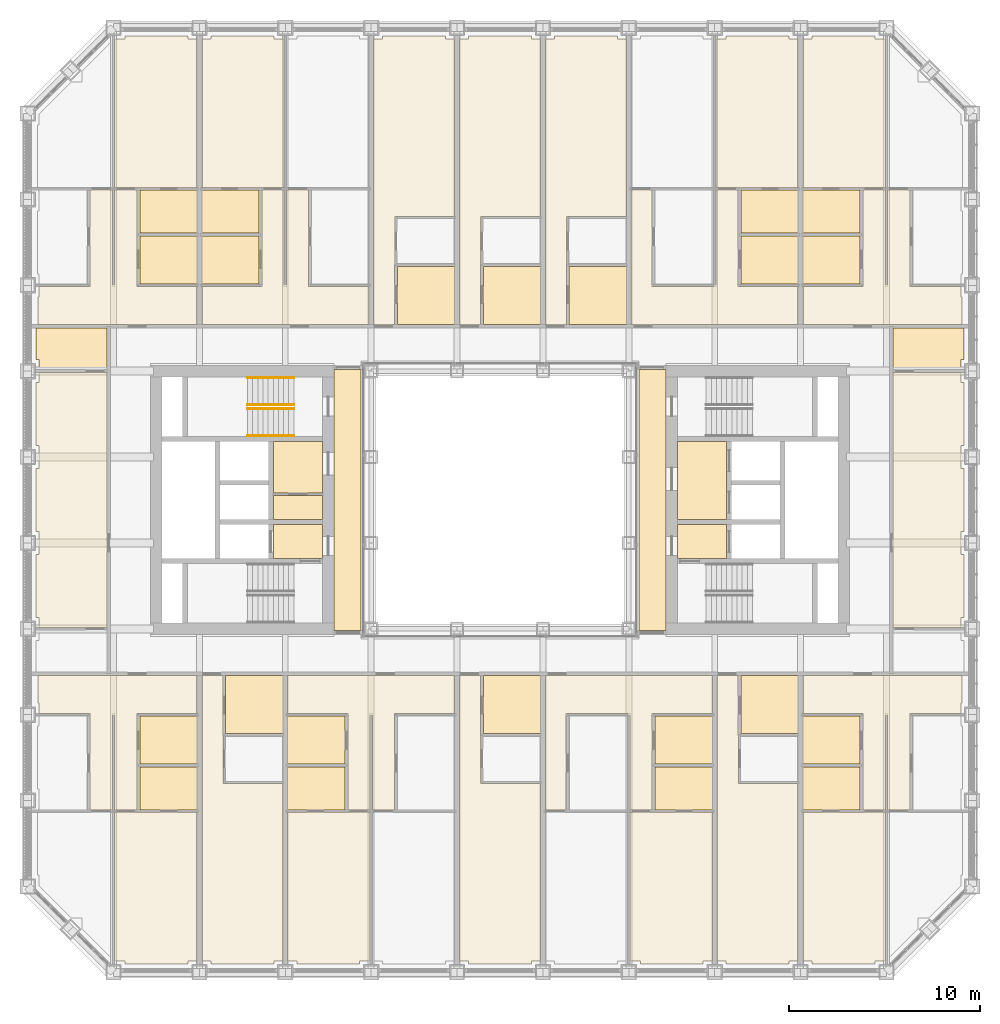
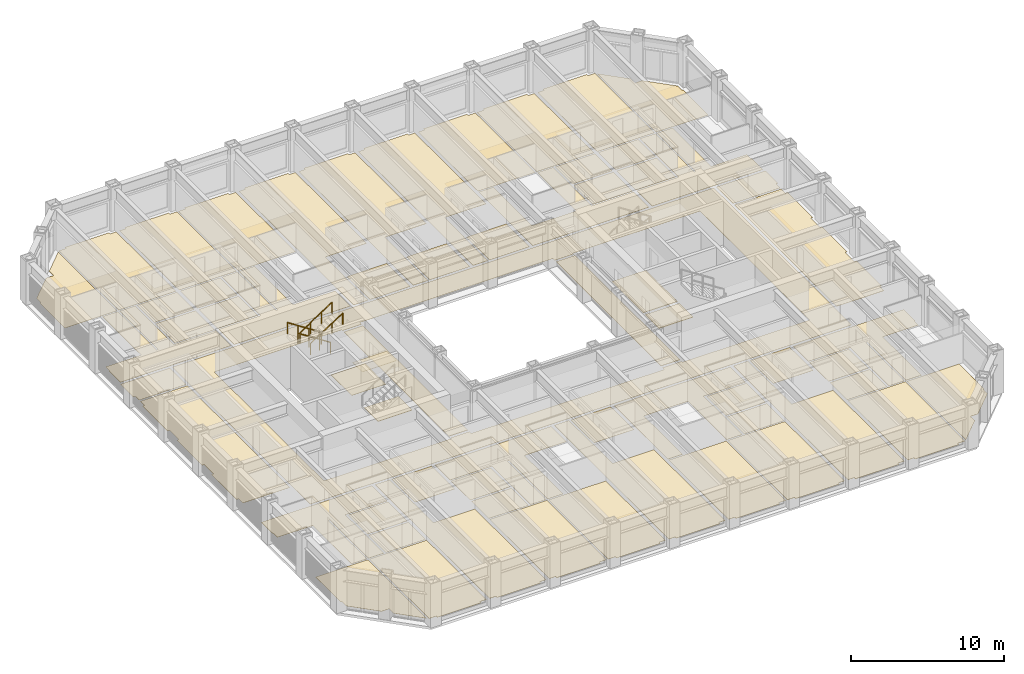
# One storey, part 18 of 21: 5 coverings, 4 railings.
"""IFC4 building model written with IfcOpenShell, lengths in metres."""

from ifc_helpers import new_model, si_unit, direction, frame, origin, origin_2d, place, context, subcontext, project, spatial, line, indexed_curve, circle, outline, extrude, material, layer, layer_set, type_object, element, save


model = new_model("IFC4")

# Units and contexts
model_context = context("Model", 3, precision=1e-05, world=origin(), true_north=direction((0.0, 1.0)))
body_context = subcontext(model_context, "Body", "Model", "MODEL_VIEW")
ifc_project = project(units=[si_unit("LENGTHUNIT", "METRE"), si_unit("AREAUNIT", "SQUARE_METRE"), si_unit("VOLUMEUNIT", "CUBIC_METRE"), si_unit("PLANEANGLEUNIT", "RADIAN"), si_unit("MASSUNIT", "GRAM", prefix="KILO")], contexts=[model_context])

# Site, building, storey
site_placement = place(None, origin())
site = spatial("IfcSite", under=ifc_project, at=site_placement, CompositionType="ELEMENT")
building_placement = place(site_placement, origin())
building = spatial("IfcBuilding", under=site, at=building_placement, Name="Msasa Ring Tower", CompositionType="ELEMENT")
storey_placement = place(building_placement, frame((0.0, 0.0, 37.0)))
storey = spatial("IfcBuildingStorey", under=building, at=storey_placement, Name="L08", CompositionType="ELEMENT", Elevation=37.0)

# Coverings
ifc_material_1 = material(Name="Mineral fibre ceiling tiles on an exposed steel grid", Category="steel")
ifc_layer_1 = layer(ifc_material_1, 0.02001953125)
ifc_layer_set_1 = layer_set([ifc_layer_1], Name="C3 ACOUSTIC MINERAL FIBRE TILE CEILING 20")
covering_type_1 = type_object("IfcCoveringType", Name="C3 ACOUSTIC MINERAL FIBRE TILE CEILING 20", PredefinedType="CEILING", material=ifc_layer_set_1)
covering_1_placement = place(storey_placement, frame((0.0, 0.0, 2.699951171875)))
element("IfcCovering", 1, at=covering_1_placement, inside=storey, type_object=covering_type_1, Name="Acoustic Mineral Fibre Tile Ceiling 20 L08", PredefinedType="CEILING", context=body_context, shape_type="SweptSolid", body=[
    extrude(outline(indexed_curve([(-11.87451171875, 0.244384765625), (-9.300537109375, 0.244384765625), (-9.300537109375, -1.0244140625), (-11.87451171875, -1.0244140625)], segments=[line(1, 2, 3, 4, 1)], self_intersect=False)), origin(), (0.0, 0.0, 1.0), 0.02001953125),
])
ifc_material_2 = material(Name="Honed granite tiles on a mortar bed", Category="masonry")
ifc_layer_2 = layer(ifc_material_2, 0.030029296875)
ifc_layer_set_2 = layer_set([ifc_layer_2], Name="F1 HONED GRANITE ON BEDDING 30")
covering_type_2 = type_object("IfcCoveringType", Name="F1 HONED GRANITE ON BEDDING 30", PredefinedType="FLOORING", material=ifc_layer_set_2)
covering_2_placement = place(storey_placement, origin())
element("IfcCovering", 2, at=covering_2_placement, inside=storey, type_object=covering_type_2, Name="Honed Granite On Bedding 30 L08", PredefinedType="FLOORING", context=body_context, shape_type="SweptSolid", body=[
    extrude(outline(indexed_curve([(-11.87451171875, -3.074462890625), (-11.87451171875, -1.275390625), (-9.300537109375, -1.275390625), (-9.300537109375, -3.074462890625)], segments=[line(1, 2, 3, 4, 1)], self_intersect=False)), origin(), (0.0, 0.0, 1.0), 0.030029296875),
    extrude(outline(indexed_curve([(-8.699462890625, -6.849609375), (-8.699462890625, 6.849609375), (-7.280029296875, 6.849609375), (-7.280029296875, -6.849609375)], segments=[line(1, 2, 3, 4, 1)], self_intersect=False)), origin(), (0.0, 0.0, 1.0), 0.030029296875),
    extrude(outline(indexed_curve([(8.699462890625, 6.849609375), (8.699462890625, -6.849609375), (7.280029296875, -6.849609375), (7.280029296875, 6.849609375)], segments=[line(1, 2, 3, 4, 1)], self_intersect=False)), origin(), (0.0, 0.0, 1.0), 0.030029296875),
    extrude(outline(indexed_curve([(9.300537109375, -3.074462890625), (9.300537109375, -1.275390625), (11.87451171875, -1.275390625), (11.87451171875, -3.074462890625)], segments=[line(1, 2, 3, 4, 1)], self_intersect=False)), origin(), (0.0, 0.0, 1.0), 0.030029296875),
    extrude(outline(indexed_curve([(9.300537109375, 3.074462890625), (11.87451171875, 3.074462890625), (11.87451171875, -1.0244140625), (9.300537109375, -1.0244140625)], segments=[line(1, 2, 3, 4, 1)], self_intersect=False)), origin(), (0.0, 0.0, 1.0), 0.030029296875),
])
ifc_material_3 = material(Name="Wool-blend carpet on felt underlay", Category="textile")
ifc_layer_3 = layer(ifc_material_3, 0.011962890625)
ifc_layer_set_3 = layer_set([ifc_layer_3], Name="F2 CARPET ON UNDERLAY 12")
covering_type_3 = type_object("IfcCoveringType", Name="F2 CARPET ON UNDERLAY 12", PredefinedType="FLOORING", material=ifc_layer_set_3)
covering_3_placement = place(storey_placement, origin())
element("IfcCovering", 3, at=covering_3_placement, inside=storey, type_object=covering_type_3, Name="Carpet On Underlay 12 L08", PredefinedType="FLOORING", context=body_context, shape_type="SweptSolid", body=[
    extrude(outline(indexed_curve([(-20.310546875, -24.052490234375), (-21.8994140625, -22.46337890625), (-21.8994140625, -21.8994140625), (-22.46337890625, -21.8994140625), (-24.1494140625, -20.21337890625), (-24.1494140625, -19.6494140625), (-24.239501953125, -19.6494140625), (-24.239501953125, -16.35546875), (-20.310546875, -16.35546875)], segments=[line(1, 2, 3, 4, 5, 6, 7, 8, 9, 1)], self_intersect=False)), origin(), (0.0, 0.0, 1.0), 0.011962890625),
    extrude(outline(indexed_curve([(-22.46337890625, 21.8994140625), (-21.8994140625, 21.8994140625), (-21.8994140625, 22.46337890625), (-20.310546875, 24.052490234375), (-20.310546875, 16.35546875), (-24.239501953125, 16.35546875), (-24.239501953125, 19.6494140625), (-24.1494140625, 19.6494140625), (-24.1494140625, 20.21337890625)], segments=[line(1, 2, 3, 4, 5, 6, 7, 8, 9, 1)], self_intersect=False)), origin(), (0.0, 0.0, 1.0), 0.011962890625),
    extrude(outline(indexed_curve([(-20.3994140625, 8.99951171875), (20.3994140625, 8.99951171875), (20.3994140625, -8.99951171875), (-20.3994140625, -8.99951171875)], segments=[line(1, 2, 3, 4, 1)], self_intersect=False), holes=[indexed_curve([(8.699462890625, -7.150390625), (18.300537109375, -7.150390625), (18.300537109375, 7.150390625), (8.699462890625, 7.150390625), (8.699462890625, 7.050537109375), (7.280029296875, 7.050537109375), (7.275390625, 7.275390625), (7.22998046875, 7.280029296875), (-7.22998046875, 7.280029296875), (-7.275390625, 7.275390625), (-7.280029296875, 7.050537109375), (-8.699462890625, 7.050537109375), (-8.699462890625, 7.150390625), (-18.300537109375, 7.150390625), (-18.300537109375, -7.150390625), (-8.699462890625, -7.150390625), (-8.699462890625, -7.050537109375), (-7.280029296875, -7.050537109375), (-7.275390625, -7.275390625), (-7.22998046875, -7.280029296875), (7.22998046875, -7.280029296875), (7.275390625, -7.275390625), (7.280029296875, -7.050537109375), (8.699462890625, -7.050537109375)], segments=[line(1, 2, 3, 4, 5, 6, 7, 8, 9, 10, 11, 12, 13, 14, 15, 16, 17, 18, 19, 20, 21, 22, 23, 24, 1)], self_intersect=False)]), origin(), (0.0, 0.0, 1.0), 0.011962890625),
    extrude(outline(indexed_curve([(-15.87548828125, -13.98046875), (-15.87548828125, -16.244384765625), (-18.869384765625, -16.244384765625), (-18.869384765625, -13.98046875)], segments=[line(1, 2, 3, 4, 1)], self_intersect=False)), origin(), (0.0, 0.0, 1.0), 0.011962890625),
    extrude(outline(indexed_curve([(-15.87548828125, 16.244384765625), (-15.87548828125, 13.98046875), (-18.869384765625, 13.98046875), (-18.869384765625, 16.244384765625)], segments=[line(1, 2, 3, 4, 1)], self_intersect=False)), origin(), (0.0, 0.0, 1.0), 0.011962890625),
    extrude(outline(indexed_curve([(-12.630615234375, 16.244384765625), (-12.630615234375, 13.98046875), (-15.62451171875, 13.98046875), (-15.62451171875, 16.244384765625)], segments=[line(1, 2, 3, 4, 1)], self_intersect=False)), origin(), (0.0, 0.0, 1.0), 0.011962890625),
    extrude(outline(indexed_curve([(-9.300537109375, 3.074462890625), (-9.300537109375, 0.35546875), (-11.87451171875, 0.35546875), (-11.87451171875, 3.074462890625)], segments=[line(1, 2, 3, 4, 1)], self_intersect=False)), origin(), (0.0, 0.0, 1.0), 0.011962890625),
    extrude(outline(indexed_curve([(-7.3505859375, 24.299560546875), (-7.3505859375, 24.1494140625), (-6.87548828125, 24.1494140625), (-6.87548828125, 16.35546875), (-11.189453125, 16.35546875), (-11.189453125, 24.1494140625), (-10.6494140625, 24.1494140625), (-10.6494140625, 24.299560546875)], segments=[line(1, 2, 3, 4, 5, 6, 7, 8, 1)], self_intersect=False)), origin(), (0.0, 0.0, 1.0), 0.011962890625),
    extrude(outline(indexed_curve([(-8.130615234375, -13.98046875), (-8.130615234375, -16.244384765625), (-11.12451171875, -16.244384765625), (-11.12451171875, -13.98046875)], segments=[line(1, 2, 3, 4, 1)], self_intersect=False)), origin(), (0.0, 0.0, 1.0), 0.011962890625),
    extrude(outline(indexed_curve([(-6.1494140625, -24.299560546875), (-6.1494140625, -24.1494140625), (-6.689453125, -24.1494140625), (-6.689453125, -16.35546875), (-2.37548828125, -16.35546875), (-2.37548828125, -24.1494140625), (-2.8505859375, -24.1494140625), (-2.8505859375, -24.299560546875)], segments=[line(1, 2, 3, 4, 5, 6, 7, 8, 1)], self_intersect=False)), origin(), (0.0, 0.0, 1.0), 0.011962890625),
    extrude(outline(indexed_curve([(6.689453125, -24.1494140625), (6.1494140625, -24.1494140625), (6.1494140625, -24.299560546875), (2.8505859375, -24.299560546875), (2.8505859375, -24.1494140625), (2.37548828125, -24.1494140625), (2.37548828125, -16.35546875), (6.689453125, -16.35546875)], segments=[line(1, 2, 3, 4, 5, 6, 7, 8, 1)], self_intersect=False)), origin(), (0.0, 0.0, 1.0), 0.011962890625),
    extrude(outline(indexed_curve([(10.6494140625, 24.299560546875), (10.6494140625, 24.1494140625), (11.189453125, 24.1494140625), (11.189453125, 16.35546875), (6.87548828125, 16.35546875), (6.87548828125, 24.1494140625), (7.3505859375, 24.1494140625), (7.3505859375, 24.299560546875)], segments=[line(1, 2, 3, 4, 5, 6, 7, 8, 1)], self_intersect=False)), origin(), (0.0, 0.0, 1.0), 0.011962890625),
    extrude(outline(indexed_curve([(11.12451171875, -13.98046875), (11.12451171875, -16.244384765625), (8.130615234375, -16.244384765625), (8.130615234375, -13.98046875)], segments=[line(1, 2, 3, 4, 1)], self_intersect=False)), origin(), (0.0, 0.0, 1.0), 0.011962890625),
    extrude(outline(indexed_curve([(15.62451171875, 16.244384765625), (15.62451171875, 13.98046875), (12.630615234375, 13.98046875), (12.630615234375, 16.244384765625)], segments=[line(1, 2, 3, 4, 1)], self_intersect=False)), origin(), (0.0, 0.0, 1.0), 0.011962890625),
    extrude(outline(indexed_curve([(18.869384765625, -13.98046875), (18.869384765625, -16.244384765625), (15.87548828125, -16.244384765625), (15.87548828125, -13.98046875)], segments=[line(1, 2, 3, 4, 1)], self_intersect=False)), origin(), (0.0, 0.0, 1.0), 0.011962890625),
    extrude(outline(indexed_curve([(18.869384765625, 16.244384765625), (18.869384765625, 13.98046875), (15.87548828125, 13.98046875), (15.87548828125, 16.244384765625)], segments=[line(1, 2, 3, 4, 1)], self_intersect=False)), origin(), (0.0, 0.0, 1.0), 0.011962890625),
    extrude(outline(indexed_curve([(24.239501953125, -19.6494140625), (24.1494140625, -19.6494140625), (24.1494140625, -20.21337890625), (22.46337890625, -21.8994140625), (21.8994140625, -21.8994140625), (21.8994140625, -22.46337890625), (20.310546875, -24.052490234375), (20.310546875, -16.35546875), (24.239501953125, -16.35546875)], segments=[line(1, 2, 3, 4, 5, 6, 7, 8, 9, 1)], self_intersect=False)), origin(), (0.0, 0.0, 1.0), 0.011962890625),
    extrude(outline(indexed_curve([(21.8994140625, 22.46337890625), (21.8994140625, 21.8994140625), (22.46337890625, 21.8994140625), (24.1494140625, 20.21337890625), (24.1494140625, 19.6494140625), (24.239501953125, 19.6494140625), (24.239501953125, 16.35546875), (20.310546875, 16.35546875), (20.310546875, 24.052490234375)], segments=[line(1, 2, 3, 4, 5, 6, 7, 8, 9, 1)], self_intersect=False)), origin(), (0.0, 0.0, 1.0), 0.011962890625),
])
ifc_material_4 = material(Name="Engineered oak boards on an acoustic underlay", Category="wood")
ifc_layer_4 = layer(ifc_material_4, 0.01806640625)
ifc_layer_set_4 = layer_set([ifc_layer_4], Name="F3 ENGINEERED TIMBER ON ACOUSTIC UNDERLAY 18")
covering_type_4 = type_object("IfcCoveringType", Name="F3 ENGINEERED TIMBER ON ACOUSTIC UNDERLAY 18", PredefinedType="FLOORING", material=ifc_layer_set_4)
covering_4_placement = place(storey_placement, origin())
element("IfcCovering", 4, at=covering_4_placement, inside=storey, type_object=covering_type_4, Name="Engineered Timber On Acoustic Underlay 18 L08", PredefinedType="FLOORING", context=body_context, shape_type="SweptSolid", body=[
    extrude(outline(indexed_curve([(-24.1494140625, -6.694580078125), (-24.1494140625, -6.1494140625), (-24.299560546875, -6.1494140625), (-24.299560546875, -2.8505859375), (-24.1494140625, -2.8505859375), (-24.1494140625, -1.6494140625), (-24.299560546875, -1.6494140625), (-24.299560546875, 1.6494140625), (-24.1494140625, 1.6494140625), (-24.1494140625, 2.8505859375), (-24.299560546875, 2.8505859375), (-24.299560546875, 6.1494140625), (-24.1494140625, 6.1494140625), (-24.1494140625, 6.66943359375), (-20.6005859375, 6.66943359375), (-20.6005859375, -6.694580078125)], segments=[line(1, 2, 3, 4, 5, 6, 7, 8, 9, 10, 11, 12, 13, 14, 15, 16, 1)], self_intersect=False)), origin(), (0.0, 0.0, 1.0), 0.01806640625),
    extrude(outline(indexed_curve([(-20.310546875, -16.244384765625), (-21.469482421875, -16.244384765625), (-21.469482421875, -11.199462890625), (-24.1494140625, -11.199462890625), (-24.1494140625, -10.6494140625), (-24.199462890625, -10.6494140625), (-24.199462890625, -9.200439453125), (-15.87548828125, -9.200439453125), (-15.87548828125, -11.199462890625), (-19.030517578125, -11.199462890625), (-19.030517578125, -16.244384765625), (-20.189453125, -16.244384765625), (-20.189453125, -11.199462890625), (-20.310546875, -11.199462890625)], segments=[line(1, 2, 3, 4, 5, 6, 7, 8, 9, 10, 11, 12, 13, 14, 1)], self_intersect=False)), origin(), (0.0, 0.0, 1.0), 0.01806640625),
    extrude(outline(indexed_curve([(-20.189453125, 16.244384765625), (-19.030517578125, 16.244384765625), (-19.030517578125, 11.199462890625), (-15.87548828125, 11.199462890625), (-15.87548828125, 9.200439453125), (-24.199462890625, 9.200439453125), (-24.199462890625, 10.6494140625), (-24.1494140625, 10.6494140625), (-24.1494140625, 11.199462890625), (-21.469482421875, 11.199462890625), (-21.469482421875, 16.244384765625), (-20.310546875, 16.244384765625), (-20.310546875, 11.199462890625), (-20.189453125, 11.199462890625)], segments=[line(1, 2, 3, 4, 5, 6, 7, 8, 9, 10, 11, 12, 13, 14, 1)], self_intersect=False)), origin(), (0.0, 0.0, 1.0), 0.01806640625),
    extrude(outline(indexed_curve([(-15.87548828125, -16.35546875), (-15.87548828125, -24.1494140625), (-16.3505859375, -24.1494140625), (-16.3505859375, -24.299560546875), (-19.6494140625, -24.299560546875), (-19.6494140625, -24.1494140625), (-20.189453125, -24.1494140625), (-20.189453125, -16.35546875)], segments=[line(1, 2, 3, 4, 5, 6, 7, 8, 1)], self_intersect=False)), origin(), (0.0, 0.0, 1.0), 0.01806640625),
    extrude(outline(indexed_curve([(-20.189453125, 24.1494140625), (-19.6494140625, 24.1494140625), (-19.6494140625, 24.299560546875), (-16.3505859375, 24.299560546875), (-16.3505859375, 24.1494140625), (-15.87548828125, 24.1494140625), (-15.87548828125, 16.35546875), (-20.189453125, 16.35546875)], segments=[line(1, 2, 3, 4, 5, 6, 7, 8, 1)], self_intersect=False)), origin(), (0.0, 0.0, 1.0), 0.01806640625),
    extrude(outline(indexed_curve([(-14.525390625, -9.200439453125), (-14.525390625, -12.35009765625), (-14.50048828125, -12.35009765625), (-14.50048828125, -14.8505859375), (-11.37548828125, -14.8505859375), (-11.37548828125, -24.1494140625), (-11.8505859375, -24.1494140625), (-11.8505859375, -24.299560546875), (-15.1494140625, -24.299560546875), (-15.1494140625, -24.1494140625), (-15.62451171875, -24.1494140625), (-15.62451171875, -9.200439453125)], segments=[line(1, 2, 3, 4, 5, 6, 7, 8, 9, 10, 11, 12, 1)], self_intersect=False)), origin(), (0.0, 0.0, 1.0), 0.01806640625),
    extrude(outline(indexed_curve([(-11.189453125, 16.244384765625), (-10.030517578125, 16.244384765625), (-10.030517578125, 11.199462890625), (-6.87548828125, 11.199462890625), (-6.87548828125, 9.200439453125), (-15.62451171875, 9.200439453125), (-15.62451171875, 11.199462890625), (-12.469482421875, 11.199462890625), (-12.469482421875, 16.244384765625), (-11.310546875, 16.244384765625), (-11.310546875, 11.199462890625), (-11.189453125, 11.199462890625)], segments=[line(1, 2, 3, 4, 5, 6, 7, 8, 9, 10, 11, 12, 1)], self_intersect=False)), origin(), (0.0, 0.0, 1.0), 0.01806640625),
    extrude(outline(indexed_curve([(-11.8505859375, 24.299560546875), (-11.8505859375, 24.1494140625), (-11.310546875, 24.1494140625), (-11.310546875, 16.35546875), (-15.62451171875, 16.35546875), (-15.62451171875, 24.1494140625), (-15.1494140625, 24.1494140625), (-15.1494140625, 24.299560546875)], segments=[line(1, 2, 3, 4, 5, 6, 7, 8, 1)], self_intersect=False)), origin(), (0.0, 0.0, 1.0), 0.01806640625),
    extrude(outline(indexed_curve([(-10.6494140625, -24.299560546875), (-10.6494140625, -24.1494140625), (-11.12451171875, -24.1494140625), (-11.12451171875, -16.35546875), (-6.810546875, -16.35546875), (-6.810546875, -24.1494140625), (-7.3505859375, -24.1494140625), (-7.3505859375, -24.299560546875)], segments=[line(1, 2, 3, 4, 5, 6, 7, 8, 1)], self_intersect=False)), origin(), (0.0, 0.0, 1.0), 0.01806640625),
    extrude(outline(indexed_curve([(-6.810546875, -16.244384765625), (-7.969482421875, -16.244384765625), (-7.969482421875, -11.199462890625), (-11.12451171875, -11.199462890625), (-11.12451171875, -9.200439453125), (-2.37548828125, -9.200439453125), (-2.37548828125, -11.199462890625), (-5.530517578125, -11.199462890625), (-5.530517578125, -16.244384765625), (-6.689453125, -16.244384765625), (-6.689453125, -11.199462890625), (-6.810546875, -11.199462890625)], segments=[line(1, 2, 3, 4, 5, 6, 7, 8, 9, 10, 11, 12, 1)], self_intersect=False)), origin(), (0.0, 0.0, 1.0), 0.01806640625),
    extrude(outline(indexed_curve([(-2.8505859375, 24.299560546875), (-2.8505859375, 24.1494140625), (-2.37548828125, 24.1494140625), (-2.37548828125, 14.8505859375), (-5.50048828125, 14.8505859375), (-5.50048828125, 12.35009765625), (-5.525390625, 12.35009765625), (-5.525390625, 9.200439453125), (-6.62451171875, 9.200439453125), (-6.62451171875, 24.1494140625), (-6.1494140625, 24.1494140625), (-6.1494140625, 24.299560546875)], segments=[line(1, 2, 3, 4, 5, 6, 7, 8, 9, 10, 11, 12, 1)], self_intersect=False)), origin(), (0.0, 0.0, 1.0), 0.01806640625),
    extrude(outline(indexed_curve([(-1.025390625, -9.200439453125), (-1.025390625, -12.35009765625), (-1.00048828125, -12.35009765625), (-1.00048828125, -14.8505859375), (2.12451171875, -14.8505859375), (2.12451171875, -24.1494140625), (1.6494140625, -24.1494140625), (1.6494140625, -24.299560546875), (-1.6494140625, -24.299560546875), (-1.6494140625, -24.1494140625), (-2.12451171875, -24.1494140625), (-2.12451171875, -9.200439453125)], segments=[line(1, 2, 3, 4, 5, 6, 7, 8, 9, 10, 11, 12, 1)], self_intersect=False)), origin(), (0.0, 0.0, 1.0), 0.01806640625),
    extrude(outline(indexed_curve([(1.6494140625, 24.299560546875), (1.6494140625, 24.1494140625), (2.12451171875, 24.1494140625), (2.12451171875, 14.8505859375), (-1.00048828125, 14.8505859375), (-1.00048828125, 12.35009765625), (-1.025390625, 12.35009765625), (-1.025390625, 9.200439453125), (-2.12451171875, 9.200439453125), (-2.12451171875, 24.1494140625), (-1.6494140625, 24.1494140625), (-1.6494140625, 24.299560546875)], segments=[line(1, 2, 3, 4, 5, 6, 7, 8, 9, 10, 11, 12, 1)], self_intersect=False)), origin(), (0.0, 0.0, 1.0), 0.01806640625),
    extrude(outline(indexed_curve([(3.469482421875, -16.244384765625), (2.37548828125, -16.244384765625), (2.37548828125, -9.200439453125), (11.12451171875, -9.200439453125), (11.12451171875, -11.199462890625), (7.969482421875, -11.199462890625), (7.969482421875, -16.244384765625), (6.810546875, -16.244384765625), (6.810546875, -11.199462890625), (3.469482421875, -11.199462890625)], segments=[line(1, 2, 3, 4, 5, 6, 7, 8, 9, 10, 1)], self_intersect=False)), origin(), (0.0, 0.0, 1.0), 0.01806640625),
    extrude(outline(indexed_curve([(6.1494140625, 24.299560546875), (6.1494140625, 24.1494140625), (6.62451171875, 24.1494140625), (6.62451171875, 14.8505859375), (3.49951171875, 14.8505859375), (3.49951171875, 12.35009765625), (3.474609375, 12.35009765625), (3.474609375, 9.200439453125), (2.37548828125, 9.200439453125), (2.37548828125, 24.1494140625), (2.8505859375, 24.1494140625), (2.8505859375, 24.299560546875)], segments=[line(1, 2, 3, 4, 5, 6, 7, 8, 9, 10, 11, 12, 1)], self_intersect=False)), origin(), (0.0, 0.0, 1.0), 0.01806640625),
    extrude(outline(indexed_curve([(7.3505859375, -24.299560546875), (7.3505859375, -24.1494140625), (6.810546875, -24.1494140625), (6.810546875, -16.35546875), (11.12451171875, -16.35546875), (11.12451171875, -24.1494140625), (10.6494140625, -24.1494140625), (10.6494140625, -24.299560546875)], segments=[line(1, 2, 3, 4, 5, 6, 7, 8, 1)], self_intersect=False)), origin(), (0.0, 0.0, 1.0), 0.01806640625),
    extrude(outline(indexed_curve([(11.310546875, 11.199462890625), (11.310546875, 16.244384765625), (12.469482421875, 16.244384765625), (12.469482421875, 11.199462890625), (15.62451171875, 11.199462890625), (15.62451171875, 9.200439453125), (6.87548828125, 9.200439453125), (6.87548828125, 16.244384765625), (7.969482421875, 16.244384765625), (7.969482421875, 11.199462890625)], segments=[line(1, 2, 3, 4, 5, 6, 7, 8, 9, 10, 1)], self_intersect=False)), origin(), (0.0, 0.0, 1.0), 0.01806640625),
    extrude(outline(indexed_curve([(15.1494140625, 24.299560546875), (15.1494140625, 24.1494140625), (15.62451171875, 24.1494140625), (15.62451171875, 16.35546875), (11.310546875, 16.35546875), (11.310546875, 24.1494140625), (11.8505859375, 24.1494140625), (11.8505859375, 24.299560546875)], segments=[line(1, 2, 3, 4, 5, 6, 7, 8, 1)], self_intersect=False)), origin(), (0.0, 0.0, 1.0), 0.01806640625),
    extrude(outline(indexed_curve([(12.474609375, -9.200439453125), (12.474609375, -12.35009765625), (12.49951171875, -12.35009765625), (12.49951171875, -14.8505859375), (15.62451171875, -14.8505859375), (15.62451171875, -24.1494140625), (15.1494140625, -24.1494140625), (15.1494140625, -24.299560546875), (11.8505859375, -24.299560546875), (11.8505859375, -24.1494140625), (11.37548828125, -24.1494140625), (11.37548828125, -9.200439453125)], segments=[line(1, 2, 3, 4, 5, 6, 7, 8, 9, 10, 11, 12, 1)], self_intersect=False)), origin(), (0.0, 0.0, 1.0), 0.01806640625),
    extrude(outline(indexed_curve([(20.189453125, -24.1494140625), (19.6494140625, -24.1494140625), (19.6494140625, -24.299560546875), (16.3505859375, -24.299560546875), (16.3505859375, -24.1494140625), (15.87548828125, -24.1494140625), (15.87548828125, -16.35546875), (20.189453125, -16.35546875)], segments=[line(1, 2, 3, 4, 5, 6, 7, 8, 1)], self_intersect=False)), origin(), (0.0, 0.0, 1.0), 0.01806640625),
    extrude(outline(indexed_curve([(20.189453125, -16.244384765625), (19.030517578125, -16.244384765625), (19.030517578125, -11.199462890625), (15.87548828125, -11.199462890625), (15.87548828125, -9.200439453125), (24.199462890625, -9.200439453125), (24.199462890625, -10.6494140625), (24.1494140625, -10.6494140625), (24.1494140625, -11.199462890625), (21.469482421875, -11.199462890625), (21.469482421875, -16.244384765625), (20.310546875, -16.244384765625), (20.310546875, -11.199462890625), (20.189453125, -11.199462890625)], segments=[line(1, 2, 3, 4, 5, 6, 7, 8, 9, 10, 11, 12, 13, 14, 1)], self_intersect=False)), origin(), (0.0, 0.0, 1.0), 0.01806640625),
    extrude(outline(indexed_curve([(20.310546875, 16.244384765625), (21.469482421875, 16.244384765625), (21.469482421875, 11.199462890625), (24.1494140625, 11.199462890625), (24.1494140625, 10.6494140625), (24.199462890625, 10.6494140625), (24.199462890625, 9.200439453125), (15.87548828125, 9.200439453125), (15.87548828125, 11.199462890625), (19.030517578125, 11.199462890625), (19.030517578125, 16.244384765625), (20.189453125, 16.244384765625), (20.189453125, 11.199462890625), (20.310546875, 11.199462890625)], segments=[line(1, 2, 3, 4, 5, 6, 7, 8, 9, 10, 11, 12, 13, 14, 1)], self_intersect=False)), origin(), (0.0, 0.0, 1.0), 0.01806640625),
    extrude(outline(indexed_curve([(19.6494140625, 24.299560546875), (19.6494140625, 24.1494140625), (20.189453125, 24.1494140625), (20.189453125, 16.35546875), (15.87548828125, 16.35546875), (15.87548828125, 24.1494140625), (16.3505859375, 24.1494140625), (16.3505859375, 24.299560546875)], segments=[line(1, 2, 3, 4, 5, 6, 7, 8, 1)], self_intersect=False)), origin(), (0.0, 0.0, 1.0), 0.01806640625),
    extrude(outline(indexed_curve([(24.1494140625, 6.66943359375), (24.1494140625, 6.1494140625), (24.299560546875, 6.1494140625), (24.299560546875, 2.8505859375), (24.1494140625, 2.8505859375), (24.1494140625, 1.6494140625), (24.299560546875, 1.6494140625), (24.299560546875, -1.6494140625), (24.1494140625, -1.6494140625), (24.1494140625, -2.8505859375), (24.299560546875, -2.8505859375), (24.299560546875, -6.1494140625), (24.1494140625, -6.1494140625), (24.1494140625, -6.694580078125), (20.6005859375, -6.694580078125), (20.6005859375, 6.66943359375)], segments=[line(1, 2, 3, 4, 5, 6, 7, 8, 9, 10, 11, 12, 13, 14, 15, 16, 1)], self_intersect=False)), origin(), (0.0, 0.0, 1.0), 0.01806640625),
])
ifc_material_5 = material(Name="Porcelain floor tiles in adhesive", Category="ceramic")
ifc_layer_5 = layer(ifc_material_5, 0.010009765625)
ifc_layer_set_5 = layer_set([ifc_layer_5], Name="F4 PORCELAIN TILE ON ADHESIVE 10")
covering_type_5 = type_object("IfcCoveringType", Name="F4 PORCELAIN TILE ON ADHESIVE 10", PredefinedType="FLOORING", material=ifc_layer_set_5)
covering_5_placement = place(storey_placement, origin())
element("IfcCovering", 5, at=covering_5_placement, inside=storey, type_object=covering_type_5, Name="Porcelain Tile On Adhesive 10 L08", PredefinedType="FLOORING", context=body_context, shape_type="SweptSolid", body=[
    extrude(outline(indexed_curve([(-24.1494140625, 6.83056640625), (-24.1494140625, 7.3505859375), (-24.299560546875, 7.3505859375), (-24.299560546875, 8.99951171875), (-20.6005859375, 8.99951171875), (-20.6005859375, 6.83056640625)], segments=[line(1, 2, 3, 4, 5, 6, 1)], self_intersect=False)), origin(), (0.0, 0.0, 1.0), 0.010009765625),
    extrude(outline(indexed_curve([(-15.87548828125, -11.305419921875), (-15.87548828125, -13.819580078125), (-18.869384765625, -13.819580078125), (-18.869384765625, -11.305419921875)], segments=[line(1, 2, 3, 4, 1)], self_intersect=False)), origin(), (0.0, 0.0, 1.0), 0.010009765625),
    extrude(outline(indexed_curve([(-15.87548828125, 13.819580078125), (-15.87548828125, 11.305419921875), (-18.869384765625, 11.305419921875), (-18.869384765625, 13.819580078125)], segments=[line(1, 2, 3, 4, 1)], self_intersect=False)), origin(), (0.0, 0.0, 1.0), 0.010009765625),
    extrude(outline(indexed_curve([(-12.630615234375, 13.819580078125), (-12.630615234375, 11.305419921875), (-15.62451171875, 11.305419921875), (-15.62451171875, 13.819580078125)], segments=[line(1, 2, 3, 4, 1)], self_intersect=False)), origin(), (0.0, 0.0, 1.0), 0.010009765625),
    extrude(outline(indexed_curve([(-11.37548828125, -9.200439453125), (-11.37548828125, -12.224609375), (-14.37451171875, -12.224609375), (-14.37451171875, -9.200439453125)], segments=[line(1, 2, 3, 4, 1)], self_intersect=False)), origin(), (0.0, 0.0, 1.0), 0.010009765625),
    extrude(outline(indexed_curve([(-8.130615234375, -11.305419921875), (-8.130615234375, -13.819580078125), (-11.12451171875, -13.819580078125), (-11.12451171875, -11.305419921875)], segments=[line(1, 2, 3, 4, 1)], self_intersect=False)), origin(), (0.0, 0.0, 1.0), 0.010009765625),
    extrude(outline(indexed_curve([(-5.37451171875, 9.200439453125), (-5.37451171875, 12.224609375), (-2.37548828125, 12.224609375), (-2.37548828125, 9.200439453125)], segments=[line(1, 2, 3, 4, 1)], self_intersect=False)), origin(), (0.0, 0.0, 1.0), 0.010009765625),
    extrude(outline(indexed_curve([(2.12451171875, -9.200439453125), (2.12451171875, -12.224609375), (-0.87451171875, -12.224609375), (-0.87451171875, -9.200439453125)], segments=[line(1, 2, 3, 4, 1)], self_intersect=False)), origin(), (0.0, 0.0, 1.0), 0.010009765625),
    extrude(outline(indexed_curve([(-0.87451171875, 9.200439453125), (-0.87451171875, 12.224609375), (2.12451171875, 12.224609375), (2.12451171875, 9.200439453125)], segments=[line(1, 2, 3, 4, 1)], self_intersect=False)), origin(), (0.0, 0.0, 1.0), 0.010009765625),
    extrude(outline(indexed_curve([(3.62548828125, 9.200439453125), (3.62548828125, 12.224609375), (6.62451171875, 12.224609375), (6.62451171875, 9.200439453125)], segments=[line(1, 2, 3, 4, 1)], self_intersect=False)), origin(), (0.0, 0.0, 1.0), 0.010009765625),
    extrude(outline(indexed_curve([(11.12451171875, -11.305419921875), (11.12451171875, -13.819580078125), (8.130615234375, -13.819580078125), (8.130615234375, -11.305419921875)], segments=[line(1, 2, 3, 4, 1)], self_intersect=False)), origin(), (0.0, 0.0, 1.0), 0.010009765625),
    extrude(outline(indexed_curve([(15.62451171875, -9.200439453125), (15.62451171875, -12.224609375), (12.62548828125, -12.224609375), (12.62548828125, -9.200439453125)], segments=[line(1, 2, 3, 4, 1)], self_intersect=False)), origin(), (0.0, 0.0, 1.0), 0.010009765625),
    extrude(outline(indexed_curve([(15.62451171875, 13.819580078125), (15.62451171875, 11.305419921875), (12.630615234375, 11.305419921875), (12.630615234375, 13.819580078125)], segments=[line(1, 2, 3, 4, 1)], self_intersect=False)), origin(), (0.0, 0.0, 1.0), 0.010009765625),
    extrude(outline(indexed_curve([(18.869384765625, -11.305419921875), (18.869384765625, -13.819580078125), (15.87548828125, -13.819580078125), (15.87548828125, -11.305419921875)], segments=[line(1, 2, 3, 4, 1)], self_intersect=False)), origin(), (0.0, 0.0, 1.0), 0.010009765625),
    extrude(outline(indexed_curve([(18.869384765625, 13.819580078125), (18.869384765625, 11.305419921875), (15.87548828125, 11.305419921875), (15.87548828125, 13.819580078125)], segments=[line(1, 2, 3, 4, 1)], self_intersect=False)), origin(), (0.0, 0.0, 1.0), 0.010009765625),
    extrude(outline(indexed_curve([(20.6005859375, 8.99951171875), (24.299560546875, 8.99951171875), (24.299560546875, 7.3505859375), (24.1494140625, 7.3505859375), (24.1494140625, 6.83056640625), (20.6005859375, 6.83056640625)], segments=[line(1, 2, 3, 4, 5, 6, 1)], self_intersect=False)), origin(), (0.0, 0.0, 1.0), 0.010009765625),
])

# Railings
ifc_material_6 = material(Name="Stainless steel", Category="steel")
railing_type = type_object("IfcRailingType", Name="HR1 HANDRAIL 900", PredefinedType="HANDRAIL", material=ifc_material_6)
for number, where, name in (
    (6, (-10.800048828125, 5.0, 0.175048828125), "Handrail stair SWB L08 1"),
    (7, (-10.800048828125, 6.39990234375, 0.175048828125), "Handrail stair SWB L08 2"),
):
    element("IfcRailing", number, at=place(storey_placement, frame(where)), inside=storey, type_object=railing_type, Name=name, PredefinedType="HANDRAIL", context=body_context, shape_type="SweptSolid", body=[
        extrude(circle(Radius=0.02392578125, at=origin_2d()), frame((0.0, 0.0, 0.8759765625), z_axis=(-0.839153699163, 0.0, 0.543894354798), x_axis=(0.0, -1.0, 0.0)), (0.0, 0.0, 1.0), 2.895751953125),
        extrude(circle(Radius=0.02099609375, at=origin_2d()), origin(), (0.0, 0.0, 1.0), 0.851806640625),
        extrude(circle(Radius=0.02099609375, at=origin_2d()), frame((-0.81005859375, 0.0, 0.52490234375)), (0.0, 0.0, 1.0), 0.851806640625),
        extrude(circle(Radius=0.02099609375, at=origin_2d()), frame((-1.619873046875, 0.0, 1.050048828125)), (0.0, 0.0, 1.0), 0.851806640625),
        extrude(circle(Radius=0.02099609375, at=origin_2d()), frame((-2.429931640625, 0.0, 1.574951171875)), (0.0, 0.0, 1.0), 0.851806640625),
    ])
for number, where, name in (
    (8, (-13.22998046875, 3.375, 1.925048828125), "Handrail stair SWB L08 3"),
    (9, (-13.22998046875, 4.77490234375, 1.925048828125), "Handrail stair SWB L08 4"),
):
    element("IfcRailing", number, at=place(storey_placement, frame(where)), inside=storey, type_object=railing_type, Name=name, PredefinedType="HANDRAIL", context=body_context, shape_type="SweptSolid", body=[
        extrude(circle(Radius=0.02392578125, at=origin_2d()), frame((0.0, 0.0, 0.8759765625), z_axis=(0.839153699163, 0.0, 0.543894354798), x_axis=(0.0, 1.0, 0.0)), (0.0, 0.0, 1.0), 2.895751953125),
        extrude(circle(Radius=0.02099609375, at=origin_2d()), origin(), (0.0, 0.0, 1.0), 0.851806640625),
        extrude(circle(Radius=0.02099609375, at=origin_2d()), frame((0.81005859375, 0.0, 0.52490234375)), (0.0, 0.0, 1.0), 0.851806640625),
        extrude(circle(Radius=0.02099609375, at=origin_2d()), frame((1.619873046875, 0.0, 1.050048828125)), (0.0, 0.0, 1.0), 0.851806640625),
        extrude(circle(Radius=0.02099609375, at=origin_2d()), frame((2.429931640625, 0.0, 1.574951171875)), (0.0, 0.0, 1.0), 0.851806640625),
    ])

save(model, "model.ifc")
